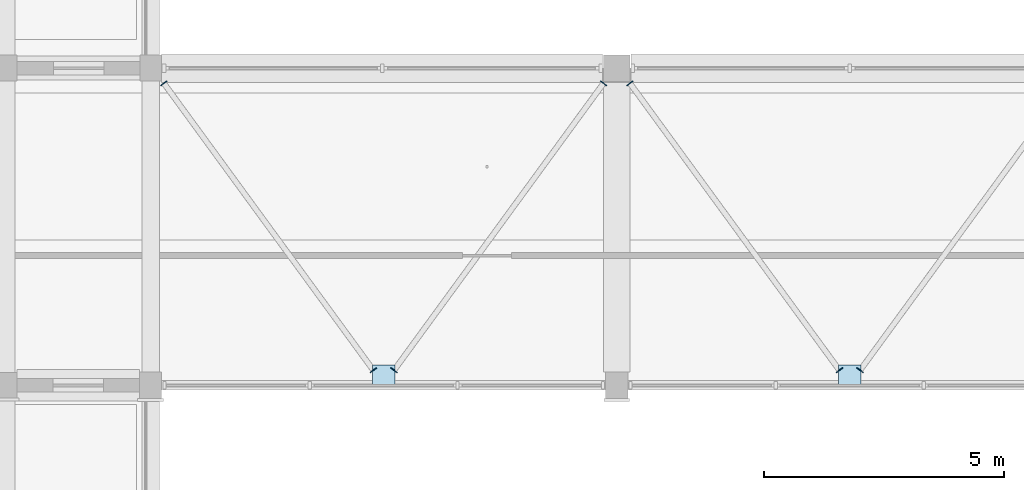
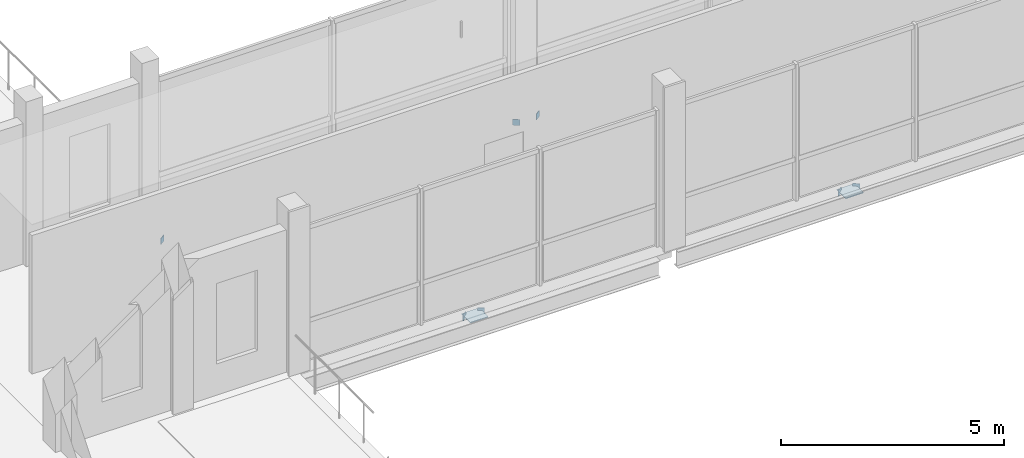
# One storey, part 52 of 95: 9 plates.
"""IFC4 building model written with IfcOpenShell, lengths in metres."""

from ifc_helpers import new_model, si_unit, derived_unit, direction, frame, origin, origin_2d, place, context, subcontext, project, spatial, rectangle, extrude, material, layer, layer_set, type_object, element, save


model = new_model("IFC4")

# Units and contexts
model_context = context("Model", 3, precision=1e-05, world=origin(), true_north=direction((0.0, 1.0)))
body_context = subcontext(model_context, "Body", "Model", "MODEL_VIEW")
ifc_project = project(units=[si_unit("LENGTHUNIT", "METRE"), si_unit("AREAUNIT", "SQUARE_METRE"), si_unit("VOLUMEUNIT", "CUBIC_METRE"), si_unit("PLANEANGLEUNIT", "RADIAN"), si_unit("MASSUNIT", "GRAM", prefix="KILO"), derived_unit("THERMALTRANSMITTANCEUNIT", [(si_unit("POWERUNIT", "WATT"), 1), (si_unit("LENGTHUNIT", "METRE"), -2), (si_unit("THERMODYNAMICTEMPERATUREUNIT", "KELVIN"), -1)])], contexts=[model_context])

# Site, building, storey
site_placement = place(None, origin())
site = spatial("IfcSite", under=ifc_project, at=site_placement, CompositionType="ELEMENT")
building_placement = place(site_placement, origin())
building = spatial("IfcBuilding", under=site, at=building_placement, Name="Braskholm Square Health Centre", CompositionType="ELEMENT")
storey_placement = place(building_placement, frame((0.0, 0.0, 4.800048828125)))
storey = spatial("IfcBuildingStorey", under=building, at=storey_placement, Name="L02", CompositionType="ELEMENT", Elevation=4.800048828125)

# Plates
ifc_material = material(Name="Steel ASTM A572 Grade 50", Category="steel")
ifc_layer_1 = layer(ifc_material, 0.01611328125)
ifc_layer_set_1 = layer_set([ifc_layer_1], Name="Steel ASTM A572 Grade 50")
plate_type_1 = type_object("IfcPlateType", Name="CapPlateHSS152TN8", PredefinedType="USERDEFINED", material=ifc_layer_set_1)
for number, where, z_axis, x_axis, name in (
    (1, (28.47509765625, 93.486083984375, -0.52978515625), (0.0, 0.0, 1.0), (0.589534755664, -0.807743011027, 0.0), "Hollow section end cap plate 0348"),
    (2, (32.8349609375, 87.513916015625, -0.52978515625), (0.0, 0.0, 1.0), (0.589534755664, -0.807743011027, 0.0), "Hollow section end cap plate 0349"),
    (3, (37.625, 93.486083984375, -0.52978515625), (0.0, 0.0, 1.0), (-0.589534755664, -0.807743011027, 0.0), "Hollow section end cap plate 0350"),
    (4, (33.264892578125, 87.513916015625, -0.52978515625), (0.0, 0.0, 1.0), (-0.589534755664, -0.807743011027, 0.0), "Hollow section end cap plate 0351"),
    (5, (38.175048828125, 93.486083984375, -0.52978515625), (0.0, 0.0, 1.0), (0.589534755664, -0.807743011027, 0.0), "Hollow section end cap plate 0353"),
    (6, (42.534912109375, 87.513916015625, -0.52978515625), (0.0, 0.0, 1.0), (0.589534755664, -0.807743011027, 0.0), "Hollow section end cap plate 0354"),
    (7, (42.965087890625, 87.513916015625, -0.52978515625), (0.0, 0.0, 1.0), (-0.589534755664, -0.807743011027, 0.0), "Hollow section end cap plate 0356"),
):
    element("IfcPlate", number, at=place(storey_placement, frame(where, z_axis=z_axis, x_axis=x_axis)), inside=storey, type_object=plate_type_1, Name=name, ObjectType="CAP_PLATE", PredefinedType="USERDEFINED", context=body_context, shape_type="SweptSolid", body=[
        extrude(rectangle(XDim=0.01611328125, YDim=0.159912109375, at=origin_2d()), origin(), (0.0, 0.0, 1.0), 0.159912109375),
    ])
ifc_layer_2 = layer(ifc_material, 0.02001953125)
ifc_layer_set_2 = layer_set([ifc_layer_2], Name="Steel ASTM A572 Grade 50")
plate_type_2 = type_object("IfcPlateType", Name="NodeGussetBottomPanelTN3", PredefinedType="USERDEFINED", material=ifc_layer_set_2)
for number, where, z_axis, x_axis, name in (
    (8, (33.050048828125, 87.419921875, -0.4599609375), (0.0, 0.0, 1.0), (1.0, 0.0, 0.0), "Concourse chevron apex gusset plate 0347"),
    (9, (42.75, 87.419921875, -0.4599609375), (0.0, 0.0, 1.0), (1.0, 0.0, 0.0), "Concourse chevron apex gusset plate 0352"),
):
    element("IfcPlate", number, at=place(storey_placement, frame(where, z_axis=z_axis, x_axis=x_axis)), inside=storey, type_object=plate_type_2, Name=name, ObjectType="GUSSET_PLATE", PredefinedType="USERDEFINED", context=body_context, shape_type="SweptSolid", body=[
        extrude(rectangle(XDim=0.4599609375, YDim=0.39990234375, at=origin_2d()), origin(), (0.0, 0.0, 1.0), 0.02001953125),
    ])

save(model, "model.ifc")
